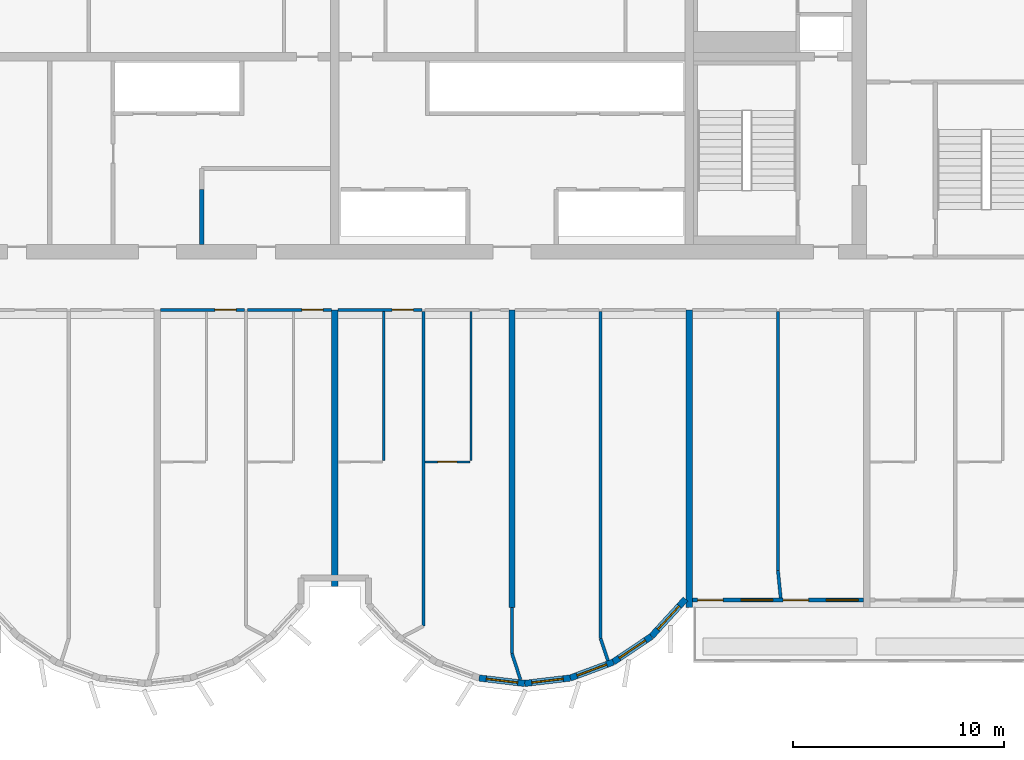
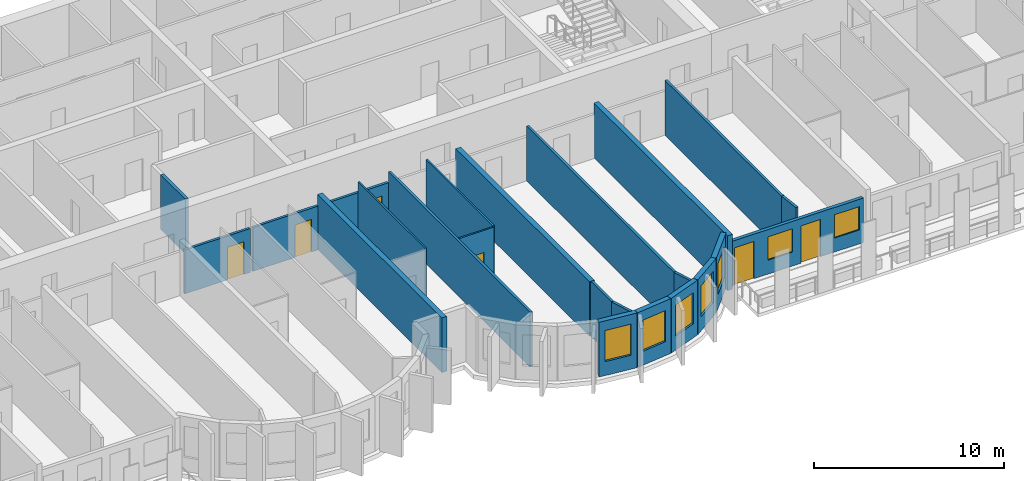
# One storey, part 5 of 13: 23 walls, 7 windows, 6 doors, 13 openings.
"""IFC4 building model written with IfcOpenShell, lengths in metres."""

from ifc_helpers import new_model, si_unit, direction, frame, frame_2d, origin, place, context, subcontext, project, spatial, rectangle, extrude, source, transform, mapped, material, layer, layer_set, type_object, element, fill, save


model = new_model("IFC4")

# Units and contexts
model_context = context("Model", 3, precision=1e-05, world=origin(), true_north=direction((0.0, 1.0)))
body_context = subcontext(model_context, "Body", "Model", "MODEL_VIEW")
ifc_project = project(units=[si_unit("LENGTHUNIT", "METRE"), si_unit("AREAUNIT", "SQUARE_METRE"), si_unit("VOLUMEUNIT", "CUBIC_METRE"), si_unit("PLANEANGLEUNIT", "RADIAN"), si_unit("MASSUNIT", "GRAM", prefix="KILO")], contexts=[model_context])

# Site, building, storey
site_placement = place(None, origin())
site = spatial("IfcSite", under=ifc_project, at=site_placement, CompositionType="ELEMENT")
building_placement = place(site_placement, origin())
building = spatial("IfcBuilding", under=site, at=building_placement, Name="Vanashikhar Sky Hotel", CompositionType="ELEMENT")
storey_placement = place(building_placement, frame((0.0, 0.0, 170.60009765625)))
storey = spatial("IfcBuildingStorey", under=building, at=storey_placement, Name="L41", CompositionType="ELEMENT", Elevation=170.60009765625)

# Walls
ifc_material_1 = material(Name="Concrete M60", Category="concrete")
ifc_layer_1 = layer(ifc_material_1, 0.300048828125)
ifc_layer_set_1 = layer_set([ifc_layer_1], Name="RC shear wall 300 Concrete M60")
wall_type_1 = type_object("IfcWallType", Name="RC shear wall 300 Concrete M60", PredefinedType="SHEAR", material=ifc_layer_set_1)
shared_shape_1 = source(origin(), body_context, "Body", "SweptSolid", [
    extrude(rectangle(XDim=14.10009765625, YDim=0.300048828125, at=frame_2d((7.050048828125, 0.0))), origin(), (0.0, 0.0, 1.0), 3.52001953125),
])
for number, where, z_axis, x_axis, name in (
    (1, (58.800048828125, 5.5, 0.0), (0.0, 0.0, 1.0), (0.0, 1.0, 0.0), "CW-L41-XW08-1"),
    (2, (67.199951171875, 5.5, 0.0), (0.0, 0.0, 1.0), (0.0, 1.0, 0.0), "CW-L41-XW09-1"),
):
    element("IfcWall", number, at=place(storey_placement, frame(where, z_axis=z_axis, x_axis=x_axis)), inside=storey, type_object=wall_type_1, Name=name, PredefinedType="SHEAR", context=body_context, shape_type="MappedRepresentation", body=[
        mapped(shared_shape_1, transform((0.0, 0.0, 0.0), scale=1.0)),
    ])
shared_shape_2 = source(origin(), body_context, "Body", "SweptSolid", [
    extrude(rectangle(XDim=13.10009765625, YDim=0.300048828125, at=frame_2d((6.550048828125, 0.0))), origin(), (0.0, 0.0, 1.0), 3.52001953125),
])
wall_1_placement = place(storey_placement, frame((50.39990234375, 6.5, 0.0), z_axis=(0.0, 0.0, 1.0), x_axis=(0.0, 1.0, 0.0)))
element("IfcWall", 3, at=wall_1_placement, inside=storey, type_object=wall_type_1, Name="CW-L41-XW07-1", PredefinedType="SHEAR", context=body_context, shape_type="MappedRepresentation", body=[
    mapped(shared_shape_2, transform((0.0, 0.0, 0.0), scale=1.0)),
])

# Wall, opening, window
ifc_material_2 = material(Name="Concrete M50", Category="concrete")
ifc_layer_2 = layer(ifc_material_2, 0.300048828125)
ifc_layer_set_2 = layer_set([ifc_layer_2], Name="Lobe wall 300")
wall_type_2 = type_object("IfcWallType", Name="Lobe wall 300", PredefinedType="SOLIDWALL", material=ifc_layer_set_2)
shared_shape_3 = source(origin(), body_context, "Body", "SweptSolid", [
    extrude(rectangle(XDim=2.398193359375, YDim=0.300048828125, at=frame_2d((1.19921875, 0.0))), origin(), (0.0, 0.0, 1.0), 3.52001953125),
])
wall_2_placement = place(storey_placement, frame((65.404296875, 4.13134765625, 0.0), z_axis=(0.0, 0.0, 1.0), x_axis=(0.675374189419, 0.737475222815, 0.0)))
wall_2 = element("IfcWall", 4, at=wall_2_placement, inside=storey, type_object=wall_type_2, Name="Lobe wall", PredefinedType="SOLIDWALL", context=body_context, shape_type="MappedRepresentation", body=[
    mapped(shared_shape_3, transform((0.0, 0.0, 0.0), scale=1.0)),
])
shared_shape_4 = source(origin(), body_context, "Body", "SweptSolid", [
    extrude(rectangle(XDim=1.5, YDim=2.0, at=frame_2d((0.75, 1.0))), frame((0.0, 0.16015625, 0.0), z_axis=(0.0, -1.0, 0.0), x_axis=(1.0, 0.0, 0.0)), (0.0, 0.0, 1.0), 0.320068359375),
])
opening_1_placement = place(wall_2_placement, frame((0.44921875, 0.0, 0.89990234375)))
opening_1 = element("IfcOpeningElement", 5, at=opening_1_placement, cuts=wall_2, Name="Opening WN-2", PredefinedType="OPENING", context=body_context, shape_type="MappedRepresentation", body=[
    mapped(shared_shape_4, transform((0.0, 0.0, 0.0), scale=1.0)),
])
ifc_material_3 = material(Name="Glass", Category="glass")
window_type_1 = type_object("IfcWindowType", Name="Lobe window 1500 x 2000", PartitioningType="SINGLE_PANEL", PredefinedType="WINDOW", material=ifc_material_3)
shared_shape_5 = source(origin(), body_context, "Body", "SweptSolid", [
    extrude(rectangle(XDim=1.5, YDim=2.0, at=frame_2d((0.75, 1.0))), frame((0.0, 0.030029296875, 0.0), z_axis=(0.0, -1.0, 0.0), x_axis=(1.0, 0.0, 0.0)), (0.0, 0.0, 1.0), 0.06005859375),
])
window_1_placement = place(opening_1_placement, origin())
window_1 = element("IfcWindow", 6, at=window_1_placement, inside=storey, type_object=window_type_1, Name="Window WN-2", OverallHeight=2.0, OverallWidth=1.5, PartitioningType="SINGLE_PANEL", PredefinedType="WINDOW", context=body_context, shape_type="MappedRepresentation", body=[
    mapped(shared_shape_5, transform((0.0, 0.0, 0.0), scale=1.0)),
])
fill(opening_1, window_1)

shared_shape_6 = source(origin(), body_context, "Body", "SweptSolid", [
    extrude(rectangle(XDim=2.17578125, YDim=0.300048828125, at=frame_2d((1.087890625, 0.0))), origin(), (0.0, 0.0, 1.0), 3.52001953125),
])
wall_3_placement = place(storey_placement, frame((63.59912109375, 2.91650390625, 0.0), z_axis=(0.0, 0.0, 1.0), x_axis=(0.829625727223, 0.558319937607, 0.0)))
wall_3 = element("IfcWall", 7, at=wall_3_placement, inside=storey, type_object=wall_type_2, Name="Lobe wall", PredefinedType="SOLIDWALL", context=body_context, shape_type="MappedRepresentation", body=[
    mapped(shared_shape_6, transform((0.0, 0.0, 0.0), scale=1.0)),
])
opening_2_placement = place(wall_3_placement, frame((0.337890625, 0.0, 0.89990234375)))
opening_2 = element("IfcOpeningElement", 8, at=opening_2_placement, cuts=wall_3, Name="Opening WN-2", PredefinedType="OPENING", context=body_context, shape_type="MappedRepresentation", body=[
    mapped(shared_shape_4, transform((0.0, 0.0, 0.0), scale=1.0)),
])
window_2_placement = place(opening_2_placement, origin())
window_2 = element("IfcWindow", 9, at=window_2_placement, inside=storey, type_object=window_type_1, Name="Window WN-2", OverallHeight=2.0, OverallWidth=1.5, PartitioningType="SINGLE_PANEL", PredefinedType="WINDOW", context=body_context, shape_type="MappedRepresentation", body=[
    mapped(shared_shape_5, transform((0.0, 0.0, 0.0), scale=1.0)),
])
fill(opening_2, window_2)

shared_shape_7 = source(origin(), body_context, "Body", "SweptSolid", [
    extrude(rectangle(XDim=2.174560546875, YDim=0.300048828125, at=frame_2d((1.08740234375, 0.0))), origin(), (0.0, 0.0, 1.0), 3.52001953125),
])
wall_4_placement = place(storey_placement, frame((57.240478515625, 2.15966796875, 0.0), z_axis=(0.0, 0.0, 1.0), x_axis=(0.993001132889, -0.118104826659, 0.0)))
wall_4 = element("IfcWall", 10, at=wall_4_placement, inside=storey, type_object=wall_type_2, Name="Lobe wall", PredefinedType="SOLIDWALL", context=body_context, shape_type="MappedRepresentation", body=[
    mapped(shared_shape_7, transform((0.0, 0.0, 0.0), scale=1.0)),
])
opening_3_placement = place(wall_4_placement, frame((0.33740234375, 0.0, 0.89990234375)))
opening_3 = element("IfcOpeningElement", 11, at=opening_3_placement, cuts=wall_4, Name="Opening WN-2", PredefinedType="OPENING", context=body_context, shape_type="MappedRepresentation", body=[
    mapped(shared_shape_4, transform((0.0, 0.0, 0.0), scale=1.0)),
])
window_3_placement = place(opening_3_placement, origin())
window_3 = element("IfcWindow", 12, at=window_3_placement, inside=storey, type_object=window_type_1, Name="Window WN-2", OverallHeight=2.0, OverallWidth=1.5, PartitioningType="SINGLE_PANEL", PredefinedType="WINDOW", context=body_context, shape_type="MappedRepresentation", body=[
    mapped(shared_shape_5, transform((0.0, 0.0, 0.0), scale=1.0)),
])
fill(opening_3, window_3)

shared_shape_8 = source(origin(), body_context, "Body", "SweptSolid", [
    extrude(rectangle(XDim=2.1748046875, YDim=0.300048828125, at=frame_2d((1.08740234375, 0.0))), origin(), (0.0, 0.0, 1.0), 3.52001953125),
])
wall_5_placement = place(storey_placement, frame((59.39990234375, 1.90283203125, 0.0), z_axis=(0.0, 0.0, 1.0), x_axis=(0.993002698611, 0.118091661648, 0.0)))
wall_5 = element("IfcWall", 13, at=wall_5_placement, inside=storey, type_object=wall_type_2, Name="Lobe wall", PredefinedType="SOLIDWALL", context=body_context, shape_type="MappedRepresentation", body=[
    mapped(shared_shape_8, transform((0.0, 0.0, 0.0), scale=1.0)),
])
opening_4_placement = place(wall_5_placement, frame((0.33740234375, 0.0, 0.89990234375)))
opening_4 = element("IfcOpeningElement", 14, at=opening_4_placement, cuts=wall_5, Name="Opening WN-2", PredefinedType="OPENING", context=body_context, shape_type="MappedRepresentation", body=[
    mapped(shared_shape_4, transform((0.0, 0.0, 0.0), scale=1.0)),
])
window_4_placement = place(opening_4_placement, origin())
window_4 = element("IfcWindow", 15, at=window_4_placement, inside=storey, type_object=window_type_1, Name="Window WN-2", OverallHeight=2.0, OverallWidth=1.5, PartitioningType="SINGLE_PANEL", PredefinedType="WINDOW", context=body_context, shape_type="MappedRepresentation", body=[
    mapped(shared_shape_5, transform((0.0, 0.0, 0.0), scale=1.0)),
])
fill(opening_4, window_4)

shared_shape_9 = source(origin(), body_context, "Body", "SweptSolid", [
    extrude(rectangle(XDim=2.175537109375, YDim=0.300048828125, at=frame_2d((1.087890625, 0.0))), origin(), (0.0, 0.0, 1.0), 3.52001953125),
])
wall_6_placement = place(storey_placement, frame((61.5595703125, 2.15966796875, 0.0), z_axis=(0.0, 0.0, 1.0), x_axis=(0.937531979054, 0.347899106424, 0.0)))
wall_6 = element("IfcWall", 16, at=wall_6_placement, inside=storey, type_object=wall_type_2, Name="Lobe wall", PredefinedType="SOLIDWALL", context=body_context, shape_type="MappedRepresentation", body=[
    mapped(shared_shape_9, transform((0.0, 0.0, 0.0), scale=1.0)),
])
opening_5_placement = place(wall_6_placement, frame((0.337890625, 0.0, 0.89990234375)))
opening_5 = element("IfcOpeningElement", 17, at=opening_5_placement, cuts=wall_6, Name="Opening WN-2", PredefinedType="OPENING", context=body_context, shape_type="MappedRepresentation", body=[
    mapped(shared_shape_4, transform((0.0, 0.0, 0.0), scale=1.0)),
])
window_5_placement = place(opening_5_placement, origin())
window_5 = element("IfcWindow", 18, at=window_5_placement, inside=storey, type_object=window_type_1, Name="Window WN-2", OverallHeight=2.0, OverallWidth=1.5, PartitioningType="SINGLE_PANEL", PredefinedType="WINDOW", context=body_context, shape_type="MappedRepresentation", body=[
    mapped(shared_shape_5, transform((0.0, 0.0, 0.0), scale=1.0)),
])
fill(opening_5, window_5)

# Wall, openings, windows, doors
ifc_layer_3 = layer(ifc_material_2, 0.199951171875)
ifc_layer_set_3 = layer_set([ifc_layer_3], Name="Front window wall 200")
wall_type_3 = type_object("IfcWallType", Name="Front window wall 200", PredefinedType="SOLIDWALL", material=ifc_layer_set_3)
shared_shape_10 = source(origin(), body_context, "Body", "SweptSolid", [
    extrude(rectangle(XDim=8.099853515625, YDim=0.199951171875, at=frame_2d((4.0498046875, 0.0))), origin(), (0.0, 0.0, 1.0), 2.869873046875),
])
wall_7_placement = place(storey_placement, frame((67.35009765625, 5.85009765625, 0.0), z_axis=(0.0, 0.0, 1.0), x_axis=(1.0, 0.0, 0.0)))
wall_7 = element("IfcWall", 19, at=wall_7_placement, inside=storey, type_object=wall_type_3, Name="Front window wall", PredefinedType="SOLIDWALL", context=body_context, shape_type="MappedRepresentation", body=[
    mapped(shared_shape_10, transform((0.0, 0.0, 0.0), scale=1.0)),
])
shared_shape_11 = source(origin(), body_context, "Body", "SweptSolid", [
    extrude(rectangle(XDim=1.199951171875, YDim=2.39990234375, at=frame_2d((0.60009765625, 1.199951171875))), frame((0.0, 0.10986328125, 0.0), z_axis=(0.0, -1.0, 0.0), x_axis=(1.0, 0.0, 0.0)), (0.0, 0.0, 1.0), 0.219970703125),
])
opening_6_placement = place(wall_7_placement, frame((0.25, 0.0, 0.0)))
opening_6 = element("IfcOpeningElement", 20, at=opening_6_placement, cuts=wall_7, Name="Opening BD-06", PredefinedType="OPENING", context=body_context, shape_type="MappedRepresentation", body=[
    mapped(shared_shape_11, transform((0.0, 0.0, 0.0), scale=1.0)),
])
shared_shape_12 = source(origin(), body_context, "Body", "SweptSolid", [
    extrude(rectangle(XDim=1.5, YDim=1.5, at=frame_2d((0.75, 0.75))), frame((0.0, 0.10986328125, 0.0), z_axis=(0.0, -1.0, 0.0), x_axis=(1.0, 0.0, 0.0)), (0.0, 0.0, 1.0), 0.219970703125),
])
opening_7_placement = place(wall_7_placement, frame((2.300048828125, 0.0, 0.89990234375)))
opening_7 = element("IfcOpeningElement", 21, at=opening_7_placement, cuts=wall_7, Name="Opening WN-1", PredefinedType="OPENING", context=body_context, shape_type="MappedRepresentation", body=[
    mapped(shared_shape_12, transform((0.0, 0.0, 0.0), scale=1.0)),
])
opening_8_placement = place(wall_7_placement, frame((4.300048828125, 0.0, 0.0)))
opening_8 = element("IfcOpeningElement", 22, at=opening_8_placement, cuts=wall_7, Name="Opening BD-07", PredefinedType="OPENING", context=body_context, shape_type="MappedRepresentation", body=[
    mapped(shared_shape_11, transform((0.0, 0.0, 0.0), scale=1.0)),
])
opening_9_placement = place(wall_7_placement, frame((6.35009765625, 0.0, 0.89990234375)))
opening_9 = element("IfcOpeningElement", 23, at=opening_9_placement, cuts=wall_7, Name="Opening WN-1", PredefinedType="OPENING", context=body_context, shape_type="MappedRepresentation", body=[
    mapped(shared_shape_12, transform((0.0, 0.0, 0.0), scale=1.0)),
])
window_type_2 = type_object("IfcWindowType", Name="Window 1500 x 1500", PartitioningType="SINGLE_PANEL", PredefinedType="WINDOW", material=ifc_material_3)
shared_shape_13 = source(origin(), body_context, "Body", "SweptSolid", [
    extrude(rectangle(XDim=1.5, YDim=1.5, at=frame_2d((0.75, 0.75))), frame((0.0, 0.030029296875, 0.0), z_axis=(0.0, -1.0, 0.0), x_axis=(1.0, 0.0, 0.0)), (0.0, 0.0, 1.0), 0.06005859375),
])
window_6_placement = place(opening_7_placement, origin())
window_6 = element("IfcWindow", 24, at=window_6_placement, inside=storey, type_object=window_type_2, Name="Window WN-1", OverallHeight=1.5, OverallWidth=1.5, PartitioningType="SINGLE_PANEL", PredefinedType="WINDOW", context=body_context, shape_type="MappedRepresentation", body=[
    mapped(shared_shape_13, transform((0.0, 0.0, 0.0), scale=1.0)),
])
fill(opening_7, window_6)
window_7_placement = place(opening_9_placement, origin())
window_7 = element("IfcWindow", 25, at=window_7_placement, inside=storey, type_object=window_type_2, Name="Window WN-1", OverallHeight=1.5, OverallWidth=1.5, PartitioningType="SINGLE_PANEL", PredefinedType="WINDOW", context=body_context, shape_type="MappedRepresentation", body=[
    mapped(shared_shape_13, transform((0.0, 0.0, 0.0), scale=1.0)),
])
fill(opening_9, window_7)
ifc_material_4 = material(Name="Aluminium", Category="aluminium")
door_type_1 = type_object("IfcDoorType", Name="Balcony sliding door 1200 x 2400", OperationType="NOTDEFINED", PredefinedType="DOOR", material=ifc_material_4)
shared_shape_14 = source(origin(), body_context, "Body", "SweptSolid", [
    extrude(rectangle(XDim=1.199951171875, YDim=2.39990234375, at=frame_2d((0.60009765625, 1.199951171875))), frame((0.0, 0.02490234375, 0.0), z_axis=(0.0, -1.0, 0.0), x_axis=(1.0, 0.0, 0.0)), (0.0, 0.0, 1.0), 0.050048828125),
])
door_1_placement = place(opening_6_placement, origin())
door_1 = element("IfcDoor", 26, at=door_1_placement, inside=storey, type_object=door_type_1, Name="Balcony sliding door", OperationType="SLIDING_TO_RIGHT", OverallHeight=2.39990234375, OverallWidth=1.199951171875, PredefinedType="DOOR", context=body_context, shape_type="MappedRepresentation", body=[
    mapped(shared_shape_14, transform((0.0, 0.0, 0.0), scale=1.0)),
])
fill(opening_6, door_1)
door_2_placement = place(opening_8_placement, origin())
door_2 = element("IfcDoor", 27, at=door_2_placement, inside=storey, type_object=door_type_1, Name="Balcony sliding door", OperationType="SLIDING_TO_LEFT", OverallHeight=2.39990234375, OverallWidth=1.199951171875, PredefinedType="DOOR", context=body_context, shape_type="MappedRepresentation", body=[
    mapped(shared_shape_14, transform((0.0, 0.0, 0.0), scale=1.0)),
])
fill(opening_8, door_2)

# Walls
ifc_material_5 = material(Name="Gypsum board partition")
ifc_layer_4 = layer(ifc_material_5, 0.14990234375)
ifc_layer_set_4 = layer_set([ifc_layer_4], Name="Service partition 150")
wall_type_4 = type_object("IfcWallType", Name="Service partition 150", PredefinedType="PARTITIONING", material=ifc_layer_set_4)
shared_shape_15 = source(origin(), body_context, "Body", "SweptSolid", [
    extrude(rectangle(XDim=2.60009765625, YDim=0.199951171875, at=frame_2d((1.300048828125, 0.0))), origin(), (0.0, 0.0, 1.0), 3.52001953125),
])
wall_8_placement = place(storey_placement, frame((44.10009765625, 22.699951171875, 0.0), z_axis=(0.0, 0.0, 1.0), x_axis=(0.0, 1.0, 0.0)))
element("IfcWall", 28, at=wall_8_placement, inside=storey, type_object=wall_type_4, Name="Service partition 150", PredefinedType="PARTITIONING", context=body_context, shape_type="MappedRepresentation", body=[
    mapped(shared_shape_15, transform((0.0, 0.0, 0.0), scale=1.0)),
])
ifc_material_6 = material(Name="Gypsum plasterboard partition")
ifc_layer_5 = layer(ifc_material_6, 0.10009765625)
ifc_layer_set_5 = layer_set([ifc_layer_5], Name="Wet room partition 100")
wall_type_5 = type_object("IfcWallType", Name="Wet room partition 100", PredefinedType="PARTITIONING", material=ifc_layer_set_5)
shared_shape_16 = source(origin(), body_context, "Body", "SweptSolid", [
    extrude(rectangle(XDim=7.0498046875, YDim=0.10009765625, at=frame_2d((3.52490234375, 0.0))), origin(), (0.0, 0.0, 1.0), 3.52001953125),
])
for number, where, z_axis, x_axis, name in (
    (29, (52.72509765625, 12.47509765625, 0.0), (0.0, 0.0, 1.0), (0.0, 1.0, 0.0), "W-L41-PW031"),
    (30, (56.85009765625, 12.47509765625, 0.0), (0.0, 0.0, 1.0), (0.0, 1.0, 0.0), "W-L41-PW034"),
):
    element("IfcWall", number, at=place(storey_placement, frame(where, z_axis=z_axis, x_axis=x_axis)), inside=storey, type_object=wall_type_5, Name=name, PredefinedType="PARTITIONING", context=body_context, shape_type="MappedRepresentation", body=[
        mapped(shared_shape_16, transform((0.0, 0.0, 0.0), scale=1.0)),
    ])
ifc_layer_6 = layer(ifc_material_6, 0.14990234375)
ifc_layer_set_6 = layer_set([ifc_layer_6], Name="Corridor and demising partition 150")
wall_type_6 = type_object("IfcWallType", Name="Corridor and demising partition 150", PredefinedType="PARTITIONING", material=ifc_layer_set_6)
shared_shape_17 = source(origin(), body_context, "Body", "SweptSolid", [
    extrude(rectangle(XDim=2.177978515625, YDim=0.14990234375, at=frame_2d((1.0888671875, 0.0))), origin(), (0.0, 0.0, 1.0), 3.52001953125),
])
wall_9_placement = place(storey_placement, frame((58.800048828125, 3.322021484375, 0.0), z_axis=(0.0, 0.0, 1.0), x_axis=(0.0, 1.0, 0.0)))
element("IfcWall", 31, at=wall_9_placement, inside=storey, type_object=wall_type_6, Name="W-L41-PW058", PredefinedType="PARTITIONING", context=body_context, shape_type="MappedRepresentation", body=[
    mapped(shared_shape_17, transform((0.0, 0.0, 0.0), scale=1.0)),
])
shared_shape_18 = source(origin(), body_context, "Body", "SweptSolid", [
    extrude(rectangle(XDim=1.100830078125, YDim=0.14990234375, at=frame_2d((0.55029296875, 0.0))), origin(), (0.0, 0.0, 1.0), 3.52001953125),
])
wall_10_placement = place(storey_placement, frame((63.343017578125, 2.98095703125, 0.0), z_axis=(0.0, 0.0, 1.0), x_axis=(-0.311567081539, 0.950224159712, 0.0)))
element("IfcWall", 32, at=wall_10_placement, inside=storey, type_object=wall_type_6, Name="W-L41-PW040B0", PredefinedType="PARTITIONING", context=body_context, shape_type="MappedRepresentation", body=[
    mapped(shared_shape_18, transform((0.0, 0.0, 0.0), scale=1.0)),
])
shared_shape_19 = source(origin(), body_context, "Body", "SweptSolid", [
    extrude(rectangle(XDim=1.308349609375, YDim=0.14990234375, at=frame_2d((0.654296875, 0.0))), origin(), (0.0, 0.0, 1.0), 3.52001953125),
])
wall_11_placement = place(storey_placement, frame((59.201904296875, 2.076904296875, 0.0), z_axis=(0.0, 0.0, 1.0), x_axis=(-0.307144529633, 0.951662880392, 0.0)))
element("IfcWall", 33, at=wall_11_placement, inside=storey, type_object=wall_type_6, Name="W-L41-PW058B0", PredefinedType="PARTITIONING", context=body_context, shape_type="MappedRepresentation", body=[
    mapped(shared_shape_19, transform((0.0, 0.0, 0.0), scale=1.0)),
])
shared_shape_20 = source(origin(), body_context, "Body", "SweptSolid", [
    extrude(rectangle(XDim=12.27490234375, YDim=0.14990234375, at=frame_2d((6.137451171875, 0.0))), origin(), (0.0, 0.0, 1.0), 3.52001953125),
])
wall_12_placement = place(storey_placement, frame((71.39990234375, 7.25, 0.0), z_axis=(0.0, 0.0, 1.0), x_axis=(0.0, 1.0, 0.0)))
element("IfcWall", 34, at=wall_12_placement, inside=storey, type_object=wall_type_6, Name="W-L41-PW043", PredefinedType="PARTITIONING", context=body_context, shape_type="MappedRepresentation", body=[
    mapped(shared_shape_20, transform((0.0, 0.0, 0.0), scale=1.0)),
])
shared_shape_21 = source(origin(), body_context, "Body", "SweptSolid", [
    extrude(rectangle(XDim=15.497802734375, YDim=0.14990234375, at=frame_2d((7.7490234375, 0.0))), origin(), (0.0, 0.0, 1.0), 3.52001953125),
])
wall_13_placement = place(storey_placement, frame((63.0, 4.027099609375, 0.0), z_axis=(0.0, 0.0, 1.0), x_axis=(0.0, 1.0, 0.0)))
element("IfcWall", 35, at=wall_13_placement, inside=storey, type_object=wall_type_6, Name="W-L41-PW040", PredefinedType="PARTITIONING", context=body_context, shape_type="MappedRepresentation", body=[
    mapped(shared_shape_21, transform((0.0, 0.0, 0.0), scale=1.0)),
])
shared_shape_22 = source(origin(), body_context, "Body", "SweptSolid", [
    extrude(rectangle(XDim=14.906005859375, YDim=0.14990234375, at=frame_2d((7.453125, 0.0))), origin(), (0.0, 0.0, 1.0), 3.52001953125),
])
wall_14_placement = place(storey_placement, frame((54.60009765625, 4.618896484375, 0.0), z_axis=(0.0, 0.0, 1.0), x_axis=(0.0, 1.0, 0.0)))
element("IfcWall", 36, at=wall_14_placement, inside=storey, type_object=wall_type_6, Name="W-L41-PW037", PredefinedType="PARTITIONING", context=body_context, shape_type="MappedRepresentation", body=[
    mapped(shared_shape_22, transform((0.0, 0.0, 0.0), scale=1.0)),
])
shared_shape_23 = source(origin(), body_context, "Body", "SweptSolid", [
    extrude(rectangle(XDim=1.306640625, YDim=0.14990234375, at=frame_2d((0.6533203125, 0.0))), origin(), (0.0, 0.0, 1.0), 3.52001953125),
])
wall_15_placement = place(storey_placement, frame((71.530029296875, 5.949951171875, 0.0), z_axis=(0.0, 0.0, 1.0), x_axis=(-0.099596223396, 0.99502793543, 0.0)))
element("IfcWall", 37, at=wall_15_placement, inside=storey, type_object=wall_type_6, Name="W-L41-PW043B0", PredefinedType="PARTITIONING", context=body_context, shape_type="MappedRepresentation", body=[
    mapped(shared_shape_23, transform((0.0, 0.0, 0.0), scale=1.0)),
])

# Wall, opening, door
shared_shape_24 = source(origin(), body_context, "Body", "SweptSolid", [
    extrude(rectangle(XDim=2.125, YDim=0.10009765625, at=frame_2d((1.0625, 0.0))), origin(), (0.0, 0.0, 1.0), 3.52001953125),
])
wall_16_placement = place(storey_placement, frame((54.675048828125, 12.39990234375, 0.0), z_axis=(0.0, 0.0, 1.0), x_axis=(1.0, 0.0, 0.0)))
wall_16 = element("IfcWall", 38, at=wall_16_placement, inside=storey, type_object=wall_type_5, Name="W-L41-PW035", PredefinedType="PARTITIONING", context=body_context, shape_type="MappedRepresentation", body=[
    mapped(shared_shape_24, transform((0.0, 0.0, 0.0), scale=1.0)),
])
shared_shape_25 = source(origin(), body_context, "Body", "SweptSolid", [
    extrude(rectangle(XDim=0.89990234375, YDim=2.10009765625, at=frame_2d((0.449951171875, 1.050048828125))), frame((0.0, 0.06005859375, 0.0), z_axis=(0.0, -1.0, 0.0), x_axis=(1.0, 0.0, 0.0)), (0.0, 0.0, 1.0), 0.1201171875),
])
opening_10_placement = place(wall_16_placement, frame((0.613037109375, 0.0, 0.0)))
opening_10 = element("IfcOpeningElement", 39, at=opening_10_placement, cuts=wall_16, Name="Opening D-02", PredefinedType="OPENING", context=body_context, shape_type="MappedRepresentation", body=[
    mapped(shared_shape_25, transform((0.0, 0.0, 0.0), scale=1.0)),
])
ifc_material_7 = material(Name="Timber door", Category="wood")
door_type_2 = type_object("IfcDoorType", Name="Internal door 900", OperationType="NOTDEFINED", PredefinedType="DOOR", material=ifc_material_7)
shared_shape_26 = source(origin(), body_context, "Body", "SweptSolid", [
    extrude(rectangle(XDim=0.89990234375, YDim=2.10009765625, at=frame_2d((0.449951171875, 1.050048828125))), frame((0.0, 0.02490234375, 0.0), z_axis=(0.0, -1.0, 0.0), x_axis=(1.0, 0.0, 0.0)), (0.0, 0.0, 1.0), 0.050048828125),
])
door_3_placement = place(opening_10_placement, origin())
door_3 = element("IfcDoor", 40, at=door_3_placement, inside=storey, type_object=door_type_2, Name="D-L41-021", OperationType="SINGLE_SWING_RIGHT", OverallHeight=2.10009765625, OverallWidth=0.89990234375, PredefinedType="DOOR", context=body_context, shape_type="MappedRepresentation", body=[
    mapped(shared_shape_26, transform((0.0, 0.0, 0.0), scale=1.0)),
])
fill(opening_10, door_3)

shared_shape_27 = source(origin(), body_context, "Body", "SweptSolid", [
    extrude(rectangle(XDim=3.974853515625, YDim=0.14990234375, at=frame_2d((1.9873046875, 0.0))), origin(), (0.0, 0.0, 1.0), 2.81982421875),
])
wall_17_placement = place(storey_placement, frame((50.550048828125, 19.60009765625, 0.0), z_axis=(0.0, 0.0, 1.0), x_axis=(1.0, 0.0, 0.0)))
wall_17 = element("IfcWall", 41, at=wall_17_placement, inside=storey, type_object=wall_type_6, Name="W-L41-PW033", PredefinedType="PARTITIONING", context=body_context, shape_type="MappedRepresentation", body=[
    mapped(shared_shape_27, transform((0.0, 0.0, 0.0), scale=1.0)),
])
shared_shape_28 = source(origin(), body_context, "Body", "SweptSolid", [
    extrude(rectangle(XDim=1.0, YDim=2.10009765625, at=frame_2d((0.5, 1.050048828125))), frame((0.0, 0.0849609375, 0.0), z_axis=(0.0, -1.0, 0.0), x_axis=(1.0, 0.0, 0.0)), (0.0, 0.0, 1.0), 0.169921875),
])
opening_11_placement = place(wall_17_placement, frame((2.574951171875, 0.0, 0.0)))
opening_11 = element("IfcOpeningElement", 42, at=opening_11_placement, cuts=wall_17, Name="Opening D-01", PredefinedType="OPENING", context=body_context, shape_type="MappedRepresentation", body=[
    mapped(shared_shape_28, transform((0.0, 0.0, 0.0), scale=1.0)),
])
ifc_material_8 = material(Name="Timber fire door", Category="wood")
door_type_3 = type_object("IfcDoorType", Name="Guest entry door 1000 FD30S", OperationType="NOTDEFINED", PredefinedType="DOOR", material=ifc_material_8)
shared_shape_29 = source(origin(), body_context, "Body", "SweptSolid", [
    extrude(rectangle(XDim=1.0, YDim=2.10009765625, at=frame_2d((0.5, 1.050048828125))), frame((0.0, 0.02490234375, 0.0), z_axis=(0.0, -1.0, 0.0), x_axis=(1.0, 0.0, 0.0)), (0.0, 0.0, 1.0), 0.050048828125),
])
door_4_placement = place(opening_11_placement, origin())
door_4 = element("IfcDoor", 43, at=door_4_placement, inside=storey, type_object=door_type_3, Name="D-L41-020", OperationType="SINGLE_SWING_RIGHT", OverallHeight=2.10009765625, OverallWidth=1.0, PredefinedType="DOOR", context=body_context, shape_type="MappedRepresentation", body=[
    mapped(shared_shape_29, transform((0.0, 0.0, 0.0), scale=1.0)),
])
fill(opening_11, door_4)

shared_shape_30 = source(origin(), body_context, "Body", "SweptSolid", [
    extrude(rectangle(XDim=3.97509765625, YDim=0.14990234375, at=frame_2d((1.987548828125, 0.0))), origin(), (0.0, 0.0, 1.0), 2.81982421875),
])
wall_18_placement = place(storey_placement, frame((42.14990234375, 19.60009765625, 0.0), z_axis=(0.0, 0.0, 1.0), x_axis=(1.0, 0.0, 0.0)))
wall_18 = element("IfcWall", 44, at=wall_18_placement, inside=storey, type_object=wall_type_6, Name="W-L41-PW026", PredefinedType="PARTITIONING", context=body_context, shape_type="MappedRepresentation", body=[
    mapped(shared_shape_30, transform((0.0, 0.0, 0.0), scale=1.0)),
])
opening_12_placement = place(wall_18_placement, frame((2.574951171875, 0.0, 0.0)))
opening_12 = element("IfcOpeningElement", 45, at=opening_12_placement, cuts=wall_18, Name="Opening D-01", PredefinedType="OPENING", context=body_context, shape_type="MappedRepresentation", body=[
    mapped(shared_shape_28, transform((0.0, 0.0, 0.0), scale=1.0)),
])
door_5_placement = place(opening_12_placement, origin())
door_5 = element("IfcDoor", 46, at=door_5_placement, inside=storey, type_object=door_type_3, Name="D-L41-016", OperationType="SINGLE_SWING_RIGHT", OverallHeight=2.10009765625, OverallWidth=1.0, PredefinedType="DOOR", context=body_context, shape_type="MappedRepresentation", body=[
    mapped(shared_shape_29, transform((0.0, 0.0, 0.0), scale=1.0)),
])
fill(opening_12, door_5)

wall_19_placement = place(storey_placement, frame((46.27490234375, 19.60009765625, 0.0), z_axis=(0.0, 0.0, 1.0), x_axis=(1.0, 0.0, 0.0)))
wall_19 = element("IfcWall", 47, at=wall_19_placement, inside=storey, type_object=wall_type_6, Name="W-L41-PW029", PredefinedType="PARTITIONING", context=body_context, shape_type="MappedRepresentation", body=[
    mapped(shared_shape_30, transform((0.0, 0.0, 0.0), scale=1.0)),
])
opening_13_placement = place(wall_19_placement, frame((2.574951171875, 0.0, 0.0)))
opening_13 = element("IfcOpeningElement", 48, at=opening_13_placement, cuts=wall_19, Name="Opening D-01", PredefinedType="OPENING", context=body_context, shape_type="MappedRepresentation", body=[
    mapped(shared_shape_28, transform((0.0, 0.0, 0.0), scale=1.0)),
])
door_6_placement = place(opening_13_placement, origin())
door_6 = element("IfcDoor", 49, at=door_6_placement, inside=storey, type_object=door_type_3, Name="D-L41-018", OperationType="SINGLE_SWING_RIGHT", OverallHeight=2.10009765625, OverallWidth=1.0, PredefinedType="DOOR", context=body_context, shape_type="MappedRepresentation", body=[
    mapped(shared_shape_29, transform((0.0, 0.0, 0.0), scale=1.0)),
])
fill(opening_13, door_6)

save(model, "model.ifc")
